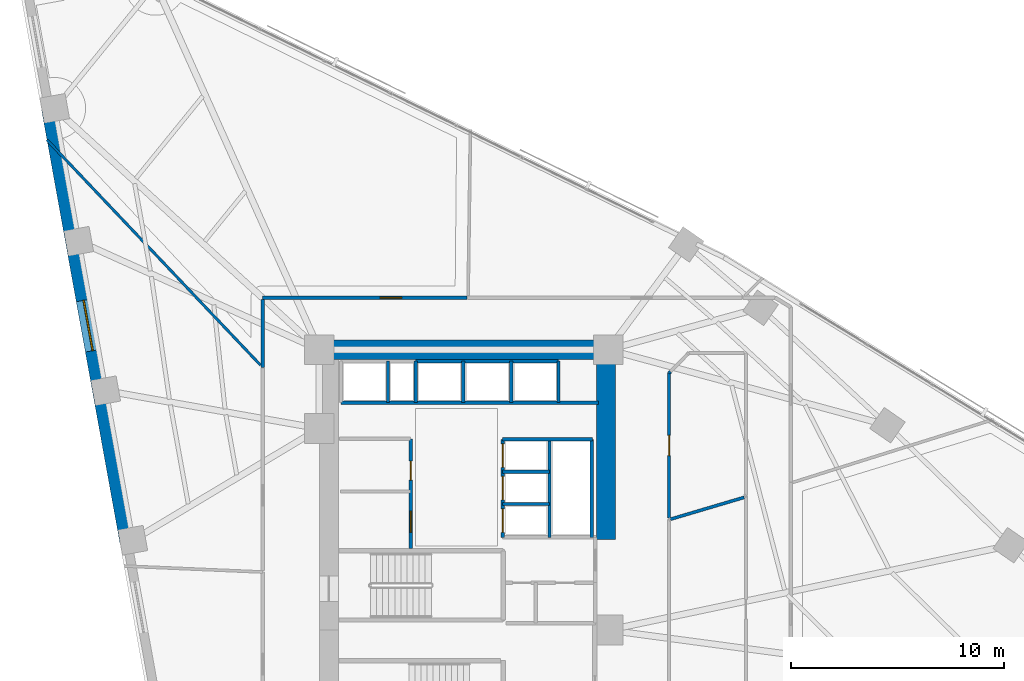
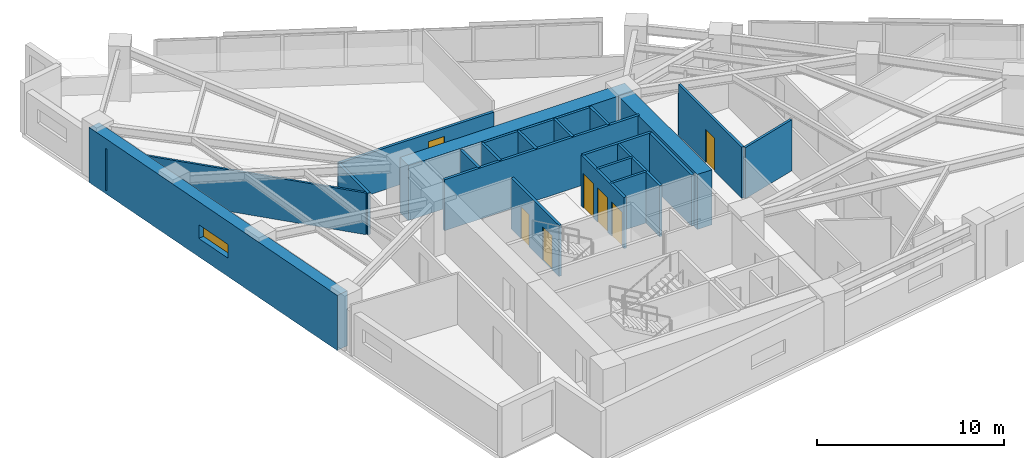
# One storey, part 14 of 19: 23 walls, 7 doors, 1 window, 8 openings.
"""IFC4 building model written with IfcOpenShell, lengths in metres."""

from ifc_helpers import new_model, si_unit, direction, frame, frame_2d, origin, place, context, subcontext, project, spatial, rectangle, extrude, material, layer, layer_set, type_object, element, fill, save


model = new_model("IFC4")

# Units and contexts
model_context = context("Model", 3, precision=1e-05, world=origin(), true_north=direction((0.0, 1.0)))
body_context = subcontext(model_context, "Body", "Model", "MODEL_VIEW")
ifc_project = project(units=[si_unit("LENGTHUNIT", "METRE"), si_unit("AREAUNIT", "SQUARE_METRE"), si_unit("VOLUMEUNIT", "CUBIC_METRE"), si_unit("PLANEANGLEUNIT", "RADIAN"), si_unit("MASSUNIT", "GRAM", prefix="KILO")], contexts=[model_context])

# Site, building, storey
site_placement = place(None, origin())
site = spatial("IfcSite", under=ifc_project, at=site_placement, CompositionType="ELEMENT")
building_placement = place(site_placement, origin())
building = spatial("IfcBuilding", under=site, at=building_placement, Name="Narakoshi Arena Tower", CompositionType="ELEMENT")
storey_placement = place(building_placement, frame((0.0, 0.0, 117.300048828125)))
storey = spatial("IfcBuildingStorey", under=building, at=storey_placement, Name="L31", CompositionType="ELEMENT", Elevation=117.300048828125)

# Walls
ifc_material_1 = material(Name="Concrete C60/75", Category="concrete")
ifc_layer_1 = layer(ifc_material_1, 0.89990234375)
ifc_layer_set_1 = layer_set([ifc_layer_1], Name="Concrete C60/75")
wall_type_1 = type_object("IfcWallType", Name="WL-CORE-900", PredefinedType="SHEAR", material=ifc_layer_set_1)
wall_1_placement = place(storey_placement, frame((72.0, 56.5, -0.260009765625), z_axis=(0.0, 0.0, 1.0), x_axis=(1.0, 0.0, 0.0)))
element("IfcWall", 1, at=wall_1_placement, inside=storey, type_object=wall_type_1, Name="L31 Main Core Shear Wall CW-MN-N", PredefinedType="SHEAR", context=body_context, shape_type="SweptSolid", body=[
    extrude(rectangle(XDim=13.89990234375, YDim=0.89990234375, at=frame_2d((6.949951171875, 0.0))), origin(), (0.0, 0.0, 1.0), 3.599853515625),
])
wall_2_placement = place(storey_placement, frame((85.449951171875, 47.60009765625, -0.260009765625), z_axis=(0.0, 0.0, 1.0), x_axis=(0.0, 1.0, 0.0)))
element("IfcWall", 2, at=wall_2_placement, inside=storey, type_object=wall_type_1, Name="L31 Main Core Shear Wall CW-MN-E", PredefinedType="SHEAR", context=body_context, shape_type="SweptSolid", body=[
    extrude(rectangle(XDim=8.449951171875, YDim=0.89990234375, at=frame_2d((4.22509765625, 0.0))), origin(), (0.0, 0.0, 1.0), 3.599853515625),
])

# Wall, opening, door
ifc_material_2 = material(Name="Gypsum plasterboard fire-rated partition")
ifc_layer_2 = layer(ifc_material_2, 0.1650390625)
ifc_layer_set_2 = layer_set([ifc_layer_2], Name="Gypsum plasterboard fire-rated partition")
wall_type_2 = type_object("IfcWallType", Name="WL-CORR-165", PredefinedType="PARTITIONING", material=ifc_layer_set_2)
wall_3_placement = place(storey_placement, frame((78.916015625, 58.944091796875, 0.0), z_axis=(0.0, 0.0, 1.0), x_axis=(-1.0, 0.0, 0.0)))
wall_3 = element("IfcWall", 3, at=wall_3_placement, inside=storey, type_object=wall_type_2, Name="L31 Corridor Partition 08-1", PredefinedType="PARTITIONING", context=body_context, shape_type="SweptSolid", body=[
    extrude(rectangle(XDim=9.571044921875, YDim=0.1650390625, at=frame_2d((4.78564453125, 0.0))), origin(), (0.0, 0.0, 1.0), 2.724853515625),
])
opening_1_placement = place(wall_3_placement, frame((3.059814453125, 0.0, 0.0)))
opening_1 = element("IfcOpeningElement", 4, at=opening_1_placement, cuts=wall_3, Name="Opening D-06", PredefinedType="OPENING", context=body_context, shape_type="SweptSolid", body=[
    extrude(rectangle(XDim=1.0, YDim=2.199951171875, at=frame_2d((0.5, 1.10009765625))), frame((0.0, 0.092529296875, 0.0), z_axis=(0.0, -1.0, 0.0), x_axis=(1.0, 0.0, 0.0)), (0.0, 0.0, 1.0), 0.18505859375),
])
ifc_material_3 = material(Name="Stained oak solid-core timber", Category="wood")
door_type_1 = type_object("IfcDoorType", Name="DR-OFF-1000", OperationType="NOTDEFINED", PredefinedType="DOOR", material=ifc_material_3)
door_1_placement = place(opening_1_placement, frame((1.0, 0.0, 0.0), z_axis=(0.0, 0.0, 1.0), x_axis=(-1.0, 0.0, 0.0)))
door_1 = element("IfcDoor", 5, at=door_1_placement, inside=storey, type_object=door_type_1, Name="DR-L31-022", OperationType="SINGLE_SWING_RIGHT", OverallHeight=2.199951171875, OverallWidth=1.0, PredefinedType="DOOR", context=body_context, shape_type="SweptSolid", body=[
    extrude(rectangle(XDim=1.0, YDim=2.199951171875, at=frame_2d((0.5, 1.10009765625))), frame((0.0, 0.02490234375, 0.0), z_axis=(0.0, -1.0, 0.0), x_axis=(1.0, 0.0, 0.0)), (0.0, 0.0, 1.0), 0.050048828125),
])
fill(opening_1, door_1)

# Wall
wall_4_placement = place(storey_placement, frame((69.344970703125, 58.849609375, 0.0), z_axis=(0.0, 0.0, 1.0), x_axis=(0.0, -1.0, 0.0)))
element("IfcWall", 6, at=wall_4_placement, inside=storey, type_object=wall_type_2, Name="L31 Corridor Partition 08-2", PredefinedType="PARTITIONING", context=body_context, shape_type="SweptSolid", body=[
    extrude(rectangle(XDim=3.18115234375, YDim=0.1650390625, at=frame_2d((1.590576171875, 0.0))), origin(), (0.0, 0.0, 1.0), 2.724853515625),
])

# Wall, opening, window
ifc_layer_3 = layer(ifc_material_1, 0.699951171875)
ifc_layer_set_3 = layer_set([ifc_layer_3], Name="Concrete C60/75")
wall_type_3 = type_object("IfcWallType", Name="WL-LEG-700", PredefinedType="SHEAR", material=ifc_layer_set_3)
wall_5_placement = place(storey_placement, frame((59.327880859375, 67.767822265625, -0.260009765625), z_axis=(0.0, 0.0, 1.0), x_axis=(0.177933213615, -0.984042565895, 0.0)))
wall_5 = element("IfcWall", 7, at=wall_5_placement, inside=storey, type_object=wall_type_3, Name="L31 Architectural Concrete Structural Wall LEGB-2", PredefinedType="SHEAR", context=body_context, shape_type="SweptSolid", body=[
    extrude(rectangle(XDim=20.57861328125, YDim=0.699951171875, at=frame_2d((10.289306640625, 0.0))), origin(), (0.0, 0.0, 1.0), 3.599853515625),
])
opening_2_placement = place(wall_5_placement, frame((9.10009765625, 0.0, 1.199951171875)))
opening_2 = element("IfcOpeningElement", 8, at=opening_2_placement, cuts=wall_5, Name="Opening WN-01", PredefinedType="OPENING", context=body_context, shape_type="SweptSolid", body=[
    extrude(rectangle(XDim=2.39990234375, YDim=0.89990234375, at=frame_2d((1.199951171875, 0.449951171875))), frame((0.0, 0.35986328125, 0.0), z_axis=(0.0, -1.0, 0.0), x_axis=(1.0, 0.0, 0.0)), (0.0, 0.0, 1.0), 0.719970703125),
])
ifc_material_4 = material(Name="Bronze-tinted low-E laminated glass", Category="glass")
window_type = type_object("IfcWindowType", Name="WIN-SLT-24x09", PartitioningType="SINGLE_PANEL", PredefinedType="WINDOW", material=ifc_material_4)
window_placement = place(opening_2_placement, origin())
window = element("IfcWindow", 9, at=window_placement, inside=storey, type_object=window_type, Name="L31 LEGB2 Horizontal Slot Window 1", OverallHeight=0.89990234375, OverallWidth=2.39990234375, PartitioningType="SINGLE_PANEL", PredefinedType="WINDOW", context=body_context, shape_type="SweptSolid", body=[
    extrude(rectangle(XDim=2.39990234375, YDim=0.89990234375, at=frame_2d((1.199951171875, 0.449951171875))), frame((0.0, 0.030029296875, 0.0), z_axis=(0.0, -1.0, 0.0), x_axis=(1.0, 0.0, 0.0)), (0.0, 0.0, 1.0), 0.06005859375),
])
fill(opening_2, window)

# Walls
ifc_layer_4 = layer(ifc_material_2, 0.125)
ifc_layer_set_4 = layer_set([ifc_layer_4], Name="Gypsum plasterboard fire-rated partition")
wall_type_4 = type_object("IfcWallType", Name="WL-PART-125", PredefinedType="PARTITIONING", material=ifc_layer_set_4)
wall_6_placement = place(storey_placement, frame((69.25048828125, 55.768310546875, 0.0), z_axis=(0.0, 0.0, 1.0), x_axis=(-0.688078949666, 0.725635830859, 0.0)))
element("IfcWall", 10, at=wall_6_placement, inside=storey, type_object=wall_type_4, Name="L31 Inter-Room Partition 08-09", PredefinedType="PARTITIONING", context=body_context, shape_type="SweptSolid", body=[
    extrude(rectangle(XDim=14.561279296875, YDim=0.125, at=frame_2d((7.28076171875, 0.0))), origin(), (0.0, 0.0, 1.0), 2.724853515625),
])
ifc_material_5 = material(Name="Concrete C40/50", Category="concrete")
ifc_layer_5 = layer(ifc_material_5, 0.280029296875)
ifc_layer_set_5 = layer_set([ifc_layer_5], Name="Concrete C40/50")
wall_type_5 = type_object("IfcWallType", Name="WL-RISER-280", PredefinedType="PLUMBINGWALL", material=ifc_layer_set_5)
for number, where, z_axis, x_axis, name in (
    (11, (80.60009765625, 49.260009765625, 0.0), (0.0, 0.0, 1.0), (1.0, 0.0, 0.0), "L31 Core Wall MR-D1"),
    (12, (80.60009765625, 50.780029296875, 0.0), (0.0, 0.0, 1.0), (1.0, 0.0, 0.0), "L31 Core Wall MR-D2"),
):
    element("IfcWall", number, at=place(storey_placement, frame(where, z_axis=z_axis, x_axis=x_axis)), inside=storey, type_object=wall_type_5, Name=name, PredefinedType="PLUMBINGWALL", context=body_context, shape_type="SweptSolid", body=[
        extrude(rectangle(XDim=2.199951171875, YDim=0.14990234375, at=frame_2d((1.10009765625, 0.0))), origin(), (0.0, 0.0, 1.0), 3.33984375),
    ])
wall_7_placement = place(storey_placement, frame((82.800048828125, 47.699951171875, 0.0), z_axis=(0.0, 0.0, 1.0), x_axis=(0.0, 1.0, 0.0)))
element("IfcWall", 13, at=wall_7_placement, inside=storey, type_object=wall_type_5, Name="L31 Core Wall MR-E", PredefinedType="PLUMBINGWALL", context=body_context, shape_type="SweptSolid", body=[
    extrude(rectangle(XDim=4.60009765625, YDim=0.14990234375, at=frame_2d((2.300048828125, 0.0))), origin(), (0.0, 0.0, 1.0), 3.33984375),
])
wall_8_placement = place(storey_placement, frame((75.219970703125, 54.02001953125, 0.0), z_axis=(0.0, 0.0, 1.0), x_axis=(0.0, 1.0, 0.0)))
element("IfcWall", 14, at=wall_8_placement, inside=storey, type_object=wall_type_5, Name="L31 Core Wall OBS-M", PredefinedType="PLUMBINGWALL", context=body_context, shape_type="SweptSolid", body=[
    extrude(rectangle(XDim=1.93994140625, YDim=0.14990234375, at=frame_2d((0.969970703125, 0.0))), origin(), (0.0, 0.0, 1.0), 3.33984375),
])
for number, where, z_axis, x_axis, name in (
    (15, (78.75, 54.02001953125, 0.0), (0.0, 0.0, 1.0), (0.0, 1.0, 0.0), "L31 Core Wall HR-D1"),
    (16, (81.0, 54.02001953125, 0.0), (0.0, 0.0, 1.0), (0.0, 1.0, 0.0), "L31 Core Wall HR-D2"),
):
    element("IfcWall", number, at=place(storey_placement, frame(where, z_axis=z_axis, x_axis=x_axis)), inside=storey, type_object=wall_type_5, Name=name, PredefinedType="PLUMBINGWALL", context=body_context, shape_type="SweptSolid", body=[
        extrude(rectangle(XDim=1.9599609375, YDim=0.14990234375, at=frame_2d((0.97998046875, 0.0))), origin(), (0.0, 0.0, 1.0), 3.33984375),
    ])

# Wall, openings, doors
ifc_material_6 = material(Name="Concrete C50/60", Category="concrete")
ifc_layer_6 = layer(ifc_material_6, 0.35009765625)
ifc_layer_set_6 = layer_set([ifc_layer_6], Name="Concrete C50/60")
wall_type_6 = type_object("IfcWallType", Name="WL-SHAFT-350", PredefinedType="SOLIDWALL", material=ifc_layer_set_6)
wall_9_placement = place(storey_placement, frame((76.280029296875, 47.179931640625, 0.0), z_axis=(0.0, 0.0, 1.0), x_axis=(0.0, 1.0, 0.0)))
wall_9 = element("IfcWall", 17, at=wall_9_placement, inside=storey, type_object=wall_type_6, Name="L31 Core Wall LR-E", PredefinedType="SOLIDWALL", context=body_context, shape_type="SweptSolid", body=[
    extrude(rectangle(XDim=5.14013671875, YDim=0.159912109375, at=frame_2d((2.570068359375, 0.0))), origin(), (0.0, 0.0, 1.0), 3.33984375),
])
opening_3_placement = place(wall_9_placement, frame((0.75, 0.0, 0.0)))
opening_3 = element("IfcOpeningElement", 18, at=opening_3_placement, cuts=wall_9, Name="Opening D-06", PredefinedType="OPENING", context=body_context, shape_type="SweptSolid", body=[
    extrude(rectangle(XDim=1.0, YDim=2.199951171875, at=frame_2d((0.5, 1.10009765625))), frame((0.0, 0.08984375, 0.0), z_axis=(0.0, -1.0, 0.0), x_axis=(1.0, 0.0, 0.0)), (0.0, 0.0, 1.0), 0.179931640625),
])
opening_4_placement = place(wall_9_placement, frame((3.199951171875, 0.0, 0.0)))
opening_4 = element("IfcOpeningElement", 19, at=opening_4_placement, cuts=wall_9, Name="Opening D-08", PredefinedType="OPENING", context=body_context, shape_type="SweptSolid", body=[
    extrude(rectangle(XDim=0.89990234375, YDim=2.10009765625, at=frame_2d((0.449951171875, 1.050048828125))), frame((0.0, 0.08984375, 0.0), z_axis=(0.0, -1.0, 0.0), x_axis=(1.0, 0.0, 0.0)), (0.0, 0.0, 1.0), 0.179931640625),
])
door_2_placement = place(opening_3_placement, frame((1.0, 0.0, 0.0), z_axis=(0.0, 0.0, 1.0), x_axis=(-1.0, 0.0, 0.0)))
door_2 = element("IfcDoor", 20, at=door_2_placement, inside=storey, type_object=door_type_1, Name="DR-L31-010", OperationType="SINGLE_SWING_LEFT", OverallHeight=2.199951171875, OverallWidth=1.0, PredefinedType="DOOR", context=body_context, shape_type="SweptSolid", body=[
    extrude(rectangle(XDim=1.0, YDim=2.199951171875, at=frame_2d((0.5, 1.10009765625))), frame((0.0, 0.02490234375, 0.0), z_axis=(0.0, -1.0, 0.0), x_axis=(1.0, 0.0, 0.0)), (0.0, 0.0, 1.0), 0.050048828125),
])
fill(opening_3, door_2)
ifc_material_7 = material(Name="Moisture-resistant laminate timber", Category="wood")
door_type_2 = type_object("IfcDoorType", Name="DR-WC-900", OperationType="NOTDEFINED", PredefinedType="DOOR", material=ifc_material_7)
door_3_placement = place(opening_4_placement, frame((0.89990234375, 0.0, 0.0), z_axis=(0.0, 0.0, 1.0), x_axis=(-1.0, 0.0, 0.0)))
door_3 = element("IfcDoor", 21, at=door_3_placement, inside=storey, type_object=door_type_2, Name="DR-L31-011", OperationType="SINGLE_SWING_RIGHT", OverallHeight=2.10009765625, OverallWidth=0.89990234375, PredefinedType="DOOR", context=body_context, shape_type="SweptSolid", body=[
    extrude(rectangle(XDim=0.89990234375, YDim=2.10009765625, at=frame_2d((0.449951171875, 1.050048828125))), frame((0.0, 0.02490234375, 0.0), z_axis=(0.0, -1.0, 0.0), x_axis=(1.0, 0.0, 0.0)), (0.0, 0.0, 1.0), 0.050048828125),
])
fill(opening_4, door_3)

wall_10_placement = place(storey_placement, frame((80.60009765625, 47.699951171875, 0.0), z_axis=(0.0, 0.0, 1.0), x_axis=(0.0, 1.0, 0.0)))
wall_10 = element("IfcWall", 22, at=wall_10_placement, inside=storey, type_object=wall_type_6, Name="L31 Core Wall MR-W", PredefinedType="SOLIDWALL", context=body_context, shape_type="SweptSolid", body=[
    extrude(rectangle(XDim=4.60009765625, YDim=0.159912109375, at=frame_2d((2.300048828125, 0.0))), origin(), (0.0, 0.0, 1.0), 3.33984375),
])
opening_5_placement = place(wall_10_placement, frame((0.239990234375, 0.0, 0.0)))
opening_5 = element("IfcOpeningElement", 23, at=opening_5_placement, cuts=wall_10, Name="Opening LD-01", PredefinedType="OPENING", context=body_context, shape_type="SweptSolid", body=[
    extrude(rectangle(XDim=1.10009765625, YDim=2.25, at=frame_2d((0.550048828125, 1.125))), frame((0.0, 0.08984375, 0.0), z_axis=(0.0, -1.0, 0.0), x_axis=(1.0, 0.0, 0.0)), (0.0, 0.0, 1.0), 0.179931640625),
])
opening_6_placement = place(wall_10_placement, frame((1.760009765625, 0.0, 0.0)))
opening_6 = element("IfcOpeningElement", 24, at=opening_6_placement, cuts=wall_10, Name="Opening LD-01", PredefinedType="OPENING", context=body_context, shape_type="SweptSolid", body=[
    extrude(rectangle(XDim=1.10009765625, YDim=2.25, at=frame_2d((0.550048828125, 1.125))), frame((0.0, 0.08984375, 0.0), z_axis=(0.0, -1.0, 0.0), x_axis=(1.0, 0.0, 0.0)), (0.0, 0.0, 1.0), 0.179931640625),
])
opening_7_placement = place(wall_10_placement, frame((3.280029296875, 0.0, 0.0)))
opening_7 = element("IfcOpeningElement", 25, at=opening_7_placement, cuts=wall_10, Name="Opening LD-01", PredefinedType="OPENING", context=body_context, shape_type="SweptSolid", body=[
    extrude(rectangle(XDim=1.10009765625, YDim=2.25, at=frame_2d((0.550048828125, 1.125))), frame((0.0, 0.08984375, 0.0), z_axis=(0.0, -1.0, 0.0), x_axis=(1.0, 0.0, 0.0)), (0.0, 0.0, 1.0), 0.179931640625),
])
ifc_material_8 = material(Name="Brushed bronze stainless steel", Category="steel")
door_type_3 = type_object("IfcDoorType", Name="DR-LFT-1100", OperationType="DOUBLE_DOOR_SLIDING", PredefinedType="DOOR", material=ifc_material_8)
door_4_placement = place(opening_5_placement, frame((1.10009765625, 0.0, 0.0), z_axis=(0.0, 0.0, 1.0), x_axis=(-1.0, 0.0, 0.0)))
door_4 = element("IfcDoor", 26, at=door_4_placement, inside=storey, type_object=door_type_3, Name="DR-L31-012", OperationType="DOUBLE_DOOR_SLIDING", OverallHeight=2.25, OverallWidth=1.10009765625, PredefinedType="DOOR", context=body_context, shape_type="SweptSolid", body=[
    extrude(rectangle(XDim=1.10009765625, YDim=2.25, at=frame_2d((0.550048828125, 1.125))), frame((0.0, 0.02490234375, 0.0), z_axis=(0.0, -1.0, 0.0), x_axis=(1.0, 0.0, 0.0)), (0.0, 0.0, 1.0), 0.050048828125),
])
fill(opening_5, door_4)
door_5_placement = place(opening_6_placement, frame((1.10009765625, 0.0, 0.0), z_axis=(0.0, 0.0, 1.0), x_axis=(-1.0, 0.0, 0.0)))
door_5 = element("IfcDoor", 27, at=door_5_placement, inside=storey, type_object=door_type_3, Name="DR-L31-013", OperationType="DOUBLE_DOOR_SLIDING", OverallHeight=2.25, OverallWidth=1.10009765625, PredefinedType="DOOR", context=body_context, shape_type="SweptSolid", body=[
    extrude(rectangle(XDim=1.10009765625, YDim=2.25, at=frame_2d((0.550048828125, 1.125))), frame((0.0, 0.02490234375, 0.0), z_axis=(0.0, -1.0, 0.0), x_axis=(1.0, 0.0, 0.0)), (0.0, 0.0, 1.0), 0.050048828125),
])
fill(opening_6, door_5)
door_6_placement = place(opening_7_placement, frame((1.10009765625, 0.0, 0.0), z_axis=(0.0, 0.0, 1.0), x_axis=(-1.0, 0.0, 0.0)))
door_6 = element("IfcDoor", 28, at=door_6_placement, inside=storey, type_object=door_type_3, Name="DR-L31-014", OperationType="DOUBLE_DOOR_SLIDING", OverallHeight=2.25, OverallWidth=1.10009765625, PredefinedType="DOOR", context=body_context, shape_type="SweptSolid", body=[
    extrude(rectangle(XDim=1.10009765625, YDim=2.25, at=frame_2d((0.550048828125, 1.125))), frame((0.0, 0.02490234375, 0.0), z_axis=(0.0, -1.0, 0.0), x_axis=(1.0, 0.0, 0.0)), (0.0, 0.0, 1.0), 0.050048828125),
])
fill(opening_7, door_6)

# Walls
wall_11_placement = place(storey_placement, frame((80.60009765625, 52.300048828125, 0.0), z_axis=(0.0, 0.0, 1.0), x_axis=(1.0, 0.0, 0.0)))
element("IfcWall", 29, at=wall_11_placement, inside=storey, type_object=wall_type_6, Name="L31 Core Wall MR-N", PredefinedType="SOLIDWALL", context=body_context, shape_type="SweptSolid", body=[
    extrude(rectangle(XDim=4.219970703125, YDim=0.159912109375, at=frame_2d((2.10986328125, 0.0))), origin(), (0.0, 0.0, 1.0), 3.33984375),
])
wall_12_placement = place(storey_placement, frame((84.780029296875, 47.699951171875, 0.0), z_axis=(0.0, 0.0, 1.0), x_axis=(0.0, 1.0, 0.0)))
element("IfcWall", 30, at=wall_12_placement, inside=storey, type_object=wall_type_6, Name="L31 Core Wall MR-E2", PredefinedType="SOLIDWALL", context=body_context, shape_type="SweptSolid", body=[
    extrude(rectangle(XDim=4.60009765625, YDim=0.159912109375, at=frame_2d((2.300048828125, 0.0))), origin(), (0.0, 0.0, 1.0), 3.33984375),
])
wall_13_placement = place(storey_placement, frame((73.02001953125, 54.02001953125, 0.0), z_axis=(0.0, 0.0, 1.0), x_axis=(1.0, 0.0, 0.0)))
element("IfcWall", 31, at=wall_13_placement, inside=storey, type_object=wall_type_6, Name="L31 Core Wall NSHF-S", PredefinedType="SOLIDWALL", context=body_context, shape_type="SweptSolid", body=[
    extrude(rectangle(XDim=12.080078125, YDim=0.159912109375, at=frame_2d((6.0400390625, 0.0))), origin(), (0.0, 0.0, 1.0), 3.33984375),
])
wall_14_placement = place(storey_placement, frame((76.52001953125, 54.02001953125, 0.0), z_axis=(0.0, 0.0, 1.0), x_axis=(0.0, 1.0, 0.0)))
element("IfcWall", 32, at=wall_14_placement, inside=storey, type_object=wall_type_6, Name="L31 Core Wall OBS-E", PredefinedType="SOLIDWALL", context=body_context, shape_type="SweptSolid", body=[
    extrude(rectangle(XDim=1.93994140625, YDim=0.14990234375, at=frame_2d((0.969970703125, 0.0))), origin(), (0.0, 0.0, 1.0), 3.33984375),
])
wall_15_placement = place(storey_placement, frame((83.219970703125, 54.02001953125, 0.0), z_axis=(0.0, 0.0, 1.0), x_axis=(0.0, 1.0, 0.0)))
element("IfcWall", 33, at=wall_15_placement, inside=storey, type_object=wall_type_6, Name="L31 Core Wall HR-E", PredefinedType="SOLIDWALL", context=body_context, shape_type="SweptSolid", body=[
    extrude(rectangle(XDim=1.9599609375, YDim=0.14990234375, at=frame_2d((0.97998046875, 0.0))), origin(), (0.0, 0.0, 1.0), 3.33984375),
])
wall_16_placement = place(storey_placement, frame((76.52001953125, 55.9599609375, 0.0), z_axis=(0.0, 0.0, 1.0), x_axis=(1.0, 0.0, 0.0)))
element("IfcWall", 34, at=wall_16_placement, inside=storey, type_object=wall_type_6, Name="L31 Core Wall HR-N", PredefinedType="SOLIDWALL", context=body_context, shape_type="SweptSolid", body=[
    extrude(rectangle(XDim=6.699951171875, YDim=0.14990234375, at=frame_2d((3.35009765625, 0.0))), origin(), (0.0, 0.0, 1.0), 3.33984375),
])
ifc_material_9 = material(Name="Moisture-resistant cement-board partition")
ifc_layer_7 = layer(ifc_material_9, 0.14501953125)
ifc_layer_set_7 = layer_set([ifc_layer_7], Name="Moisture-resistant cement-board partition")
wall_type_7 = type_object("IfcWallType", Name="WL-WET-145", PredefinedType="PARTITIONING", material=ifc_layer_set_7)
wall_17_placement = place(storey_placement, frame((88.460205078125, 48.54931640625, 0.0), z_axis=(0.0, 0.0, 1.0), x_axis=(0.958787192639, 0.284125182324, 0.0)))
element("IfcWall", 35, at=wall_17_placement, inside=storey, type_object=wall_type_7, Name="L31 Inter-Room Partition 03-06", PredefinedType="PARTITIONING", context=body_context, shape_type="SweptSolid", body=[
    extrude(rectangle(XDim=3.60888671875, YDim=0.14501953125, at=frame_2d((1.804443359375, 0.0))), origin(), (0.0, 0.0, 1.0), 3.33984375),
])

# Wall, opening, door
wall_18_placement = place(storey_placement, frame((88.39990234375, 48.6201171875, 0.0), z_axis=(0.0, 0.0, 1.0), x_axis=(0.0, 1.0, 0.0)))
wall_18 = element("IfcWall", 36, at=wall_18_placement, inside=storey, type_object=wall_type_7, Name="L31 Corridor Partition 06-1", PredefinedType="PARTITIONING", context=body_context, shape_type="SweptSolid", body=[
    extrude(rectangle(XDim=6.783203125, YDim=0.14501953125, at=frame_2d((3.3916015625, 0.0))), origin(), (0.0, 0.0, 1.0), 3.33984375),
])
opening_8_placement = place(wall_18_placement, frame((2.91650390625, 0.0, 0.0)))
opening_8 = element("IfcOpeningElement", 37, at=opening_8_placement, cuts=wall_18, Name="Opening D-07", PredefinedType="OPENING", context=body_context, shape_type="SweptSolid", body=[
    extrude(rectangle(XDim=0.949951171875, YDim=2.14990234375, at=frame_2d((0.47509765625, 1.074951171875))), frame((0.0, 0.08251953125, 0.0), z_axis=(0.0, -1.0, 0.0), x_axis=(1.0, 0.0, 0.0)), (0.0, 0.0, 1.0), 0.1650390625),
])
door_type_4 = type_object("IfcDoorType", Name="DR-ACC-950", OperationType="NOTDEFINED", PredefinedType="DOOR", material=ifc_material_3)
door_7_placement = place(opening_8_placement, frame((0.949951171875, 0.0, 0.0), z_axis=(0.0, 0.0, 1.0), x_axis=(-1.0, 0.0, 0.0)))
door_7 = element("IfcDoor", 38, at=door_7_placement, inside=storey, type_object=door_type_4, Name="DR-L31-020", OperationType="SINGLE_SWING_RIGHT", OverallHeight=2.14990234375, OverallWidth=0.949951171875, PredefinedType="DOOR", context=body_context, shape_type="SweptSolid", body=[
    extrude(rectangle(XDim=0.949951171875, YDim=2.14990234375, at=frame_2d((0.47509765625, 1.074951171875))), frame((0.0, 0.02490234375, 0.0), z_axis=(0.0, -1.0, 0.0), x_axis=(1.0, 0.0, 0.0)), (0.0, 0.0, 1.0), 0.050048828125),
])
fill(opening_8, door_7)

# Wall
wall_19_placement = place(storey_placement, frame((88.39990234375, 55.4033203125, 0.0), z_axis=(0.0, 0.0, 1.0), x_axis=(0.699957610104, 0.714184390797, 0.0)))
element("IfcWall", 39, at=wall_19_placement, inside=storey, type_object=wall_type_7, Name="L31 Corridor Partition 06-4", PredefinedType="PARTITIONING", context=body_context, shape_type="SweptSolid", body=[
    extrude(rectangle(XDim=0.085693359375, YDim=0.14501953125, at=frame_2d((0.04296875, 0.0))), origin(), (0.0, 0.0, 1.0), 2.724853515625),
])

save(model, "model.ifc")
